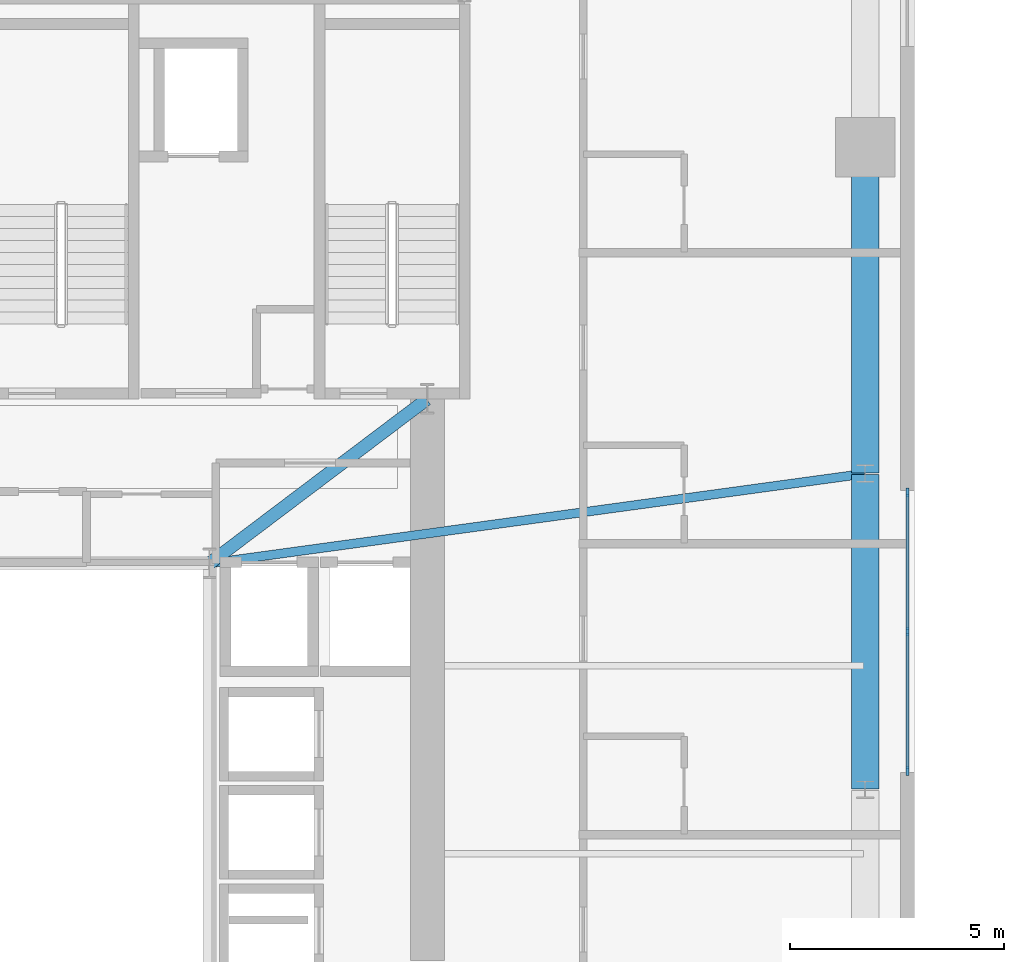
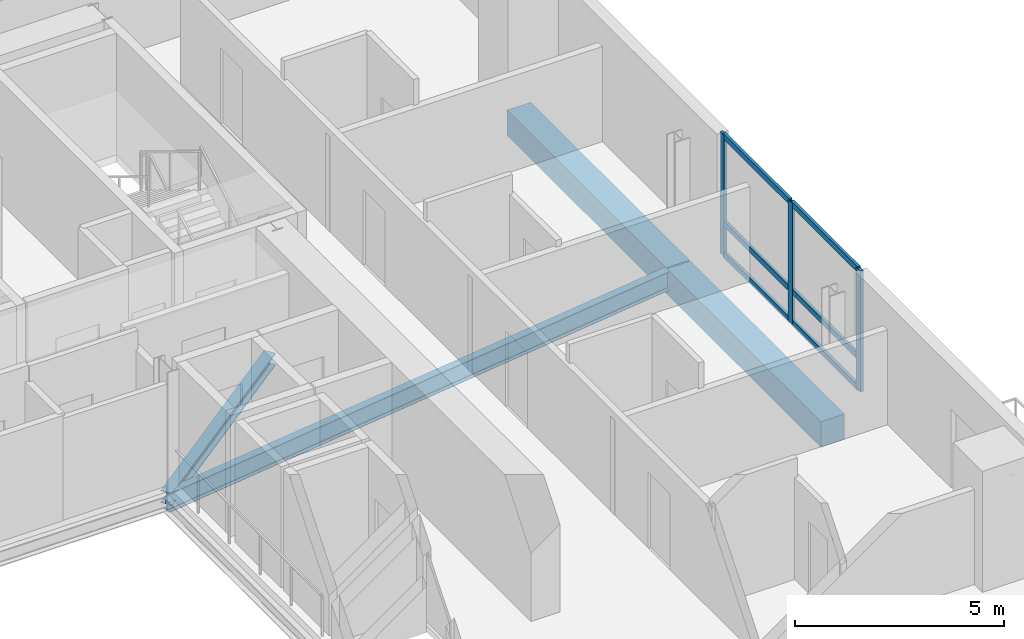
# One storey, part 5 of 15: 9 members, 4 beams, 1 element without a shape of its own.
"""IFC4 building model written with IfcOpenShell, lengths in metres."""

from ifc_helpers import new_model, si_unit, direction, frame, origin, origin_2d, place, context, subcontext, project, spatial, rectangle, i_section, extrude, source, transform, mapped, material, material_profile, profile_set, type_object, element, aggregate, save


model = new_model("IFC4")

# Units and contexts
model_context = context("Model", 3, precision=1e-05, world=origin(), true_north=direction((0.0, 1.0)))
body_context = subcontext(model_context, "Body", "Model", "MODEL_VIEW")
ifc_project = project(units=[si_unit("LENGTHUNIT", "METRE"), si_unit("AREAUNIT", "SQUARE_METRE"), si_unit("VOLUMEUNIT", "CUBIC_METRE"), si_unit("PLANEANGLEUNIT", "RADIAN"), si_unit("MASSUNIT", "GRAM", prefix="KILO")], contexts=[model_context])

# Site, building, storey
site_placement = place(None, origin())
site = spatial("IfcSite", under=ifc_project, at=site_placement, CompositionType="ELEMENT")
building_placement = place(site_placement, origin())
building = spatial("IfcBuilding", under=site, at=building_placement, Name="Vardaveli Station Tower", CompositionType="ELEMENT")
storey_placement = place(building_placement, frame((0.0, 0.0, 229.800048828125)))
storey = spatial("IfcBuildingStorey", under=building, at=storey_placement, Name="L59", CompositionType="ELEMENT", Elevation=229.800048828125)

# Beams
ifc_material_1 = material(Name="Structural steel S355J2", Category="steel")
ifc_material_profile_1 = material_profile(ifc_material_1, i_section(OverallWidth=0.300048828125, OverallDepth=0.360107421875, WebThickness=0.012451171875, FlangeThickness=0.0224609375, FilletRadius=0.027099609375, at=origin_2d()), Name="HEB 360")
ifc_profile_set_1 = profile_set([ifc_material_profile_1], Name="Structural steel S355J2")
beam_type_1 = type_object("IfcBeamType", Name="BM-HEB360", PredefinedType="BEAM", material=ifc_profile_set_1)
shared_shape_1 = source(origin(), body_context, "Body", "SweptSolid", [
    extrude(i_section(OverallWidth=0.300048828125, OverallDepth=0.360107421875, WebThickness=0.012451171875, FlangeThickness=0.0224609375, FilletRadius=0.027099609375, at=origin_2d()), origin(), (0.0, 0.0, 1.0), 6.35009765625),
])
beam_1_placement = place(storey_placement, frame((41.416015625, 26.81201171875, -0.400146484375), z_axis=(0.798118337722, 0.602500721154, 0.0), x_axis=(-0.602500721154, 0.798118337722, 0.0)))
element("IfcBeam", 1, at=beam_1_placement, inside=storey, type_object=beam_type_1, Name="CBM-L59-02", PredefinedType="BEAM", context=body_context, shape_type="MappedRepresentation", body=[
    mapped(shared_shape_1, transform((0.0, 0.0, 0.0), scale=1.0)),
])
ifc_material_2 = material(Name="Precast concrete C45/55", Category="concrete")
ifc_material_profile_2 = material_profile(ifc_material_2, rectangle(XDim=0.64990234375, YDim=0.75, at=origin_2d()), Name="LPB 650x750")
ifc_profile_set_2 = profile_set([ifc_material_profile_2], Name="Precast concrete C45/55")
beam_type_2 = type_object("IfcBeamType", Name="BM-LPB-750", PredefinedType="BEAM", material=ifc_profile_set_2)
shared_shape_2 = source(origin(), body_context, "Body", "SweptSolid", [
    extrude(rectangle(XDim=0.64990234375, YDim=0.75, at=origin_2d()), origin(), (0.0, 0.0, 1.0), 7.60009765625),
])
beam_2_placement = place(storey_placement, frame((56.75, 28.919921875, -0.594970703125), z_axis=(0.0, 1.0, 0.0), x_axis=(-1.0, 0.0, 0.0)))
element("IfcBeam", 2, at=beam_2_placement, inside=storey, type_object=beam_type_2, Name="RBM-L59-09", PredefinedType="BEAM", context=body_context, shape_type="MappedRepresentation", body=[
    mapped(shared_shape_2, transform((0.0, 0.0, 0.0), scale=1.0)),
])
shared_shape_3 = source(origin(), body_context, "Body", "SweptSolid", [
    extrude(rectangle(XDim=0.64990234375, YDim=0.75, at=origin_2d()), origin(), (0.0, 0.0, 1.0), 7.35986328125),
])
beam_3_placement = place(storey_placement, frame((56.75, 21.52001953125, -0.594970703125), z_axis=(0.0, 1.0, 0.0), x_axis=(-1.0, 0.0, 0.0)))
element("IfcBeam", 3, at=beam_3_placement, inside=storey, type_object=beam_type_2, Name="RBM-L59-08", PredefinedType="BEAM", context=body_context, shape_type="MappedRepresentation", body=[
    mapped(shared_shape_3, transform((0.0, 0.0, 0.0), scale=1.0)),
])
ifc_material_profile_3 = material_profile(ifc_material_1, i_section(OverallWidth=0.2099609375, OverallDepth=0.550048828125, WebThickness=0.010986328125, FlangeThickness=0.01708984375, FilletRadius=0.02392578125, at=origin_2d()), Name="IPE 550")
ifc_profile_set_3 = profile_set([ifc_material_profile_3], Name="Structural steel S355J2")
beam_type_3 = type_object("IfcBeamType", Name="BM-IPE550", PredefinedType="BEAM", material=ifc_profile_set_3)
shared_shape_4 = source(origin(), body_context, "Body", "SweptSolid", [
    extrude(i_section(OverallWidth=0.2099609375, OverallDepth=0.550048828125, WebThickness=0.010986328125, FlangeThickness=0.01708984375, FilletRadius=0.02392578125, at=origin_2d()), origin(), (0.0, 0.0, 1.0), 15.452880859375),
])
beam_4_placement = place(storey_placement, frame((56.730224609375, 28.897216796875, -0.4951171875), z_axis=(-0.99077191151, -0.135539733521, 0.0), x_axis=(0.135539733521, -0.99077191151, 0.0)))
element("IfcBeam", 4, at=beam_4_placement, inside=storey, type_object=beam_type_3, Name="GBM-L59-07", PredefinedType="BEAM", context=body_context, shape_type="MappedRepresentation", body=[
    mapped(shared_shape_4, transform((0.0, 0.0, 0.0), scale=1.0)),
])

# Curtain wall, members
ifc_material_3 = material(Name="Travertine stone and solar-control glass", Category="masonry")
curtain_wall_type = type_object("IfcCurtainWallType", Name="CW-SYS-5", PredefinedType="NOTDEFINED", material=ifc_material_3)
curtain_wall_placement = place(storey_placement, origin())
curtain_wall = element("IfcCurtainWall", 5, at=curtain_wall_placement, inside=storey, type_object=curtain_wall_type, Name="CW-L59-E", PredefinedType="NOTDEFINED")
ifc_material_4 = material(Name="Anodised aluminium alloy 6063-T6", Category="aluminium")
ifc_material_profile_4 = material_profile(ifc_material_4, rectangle(XDim=0.080078125, YDim=0.1650390625, at=origin_2d()), Name="CWT 80x165")
ifc_profile_set_4 = profile_set([ifc_material_profile_4], Name="Anodised aluminium alloy 6063-T6")
member_type_1 = type_object("IfcMemberType", Name="CW-SYS-5-TRAN", PredefinedType="NOTDEFINED", material=ifc_profile_set_4)
shared_shape_5 = source(origin(), body_context, "Body", "SweptSolid", [
    extrude(rectangle(XDim=0.080078125, YDim=0.1650390625, at=origin_2d()), origin(), (0.0, 0.0, 1.0), 3.179931640625),
])
member_1_placement = place(storey_placement, frame((57.739990234375, 21.97998046875, 0.0400390625), z_axis=(0.0, 1.0, 0.0), x_axis=(-1.0, 0.0, 0.0)))
member_1 = element("IfcMember", 6, at=member_1_placement, type_object=member_type_1, Name="CW-5 transom 1.1", ObjectType="TRANSOM", PredefinedType="USERDEFINED", context=body_context, shape_type="MappedRepresentation", body=[
    mapped(shared_shape_5, transform((0.0, 0.0, 0.0), scale=1.0)),
])
member_2_placement = place(storey_placement, frame((57.739990234375, 21.97998046875, 0.949951171875), z_axis=(0.0, 1.0, 0.0), x_axis=(-1.0, 0.0, 0.0)))
member_2 = element("IfcMember", 7, at=member_2_placement, type_object=member_type_1, Name="CW-5 transom 1.2", ObjectType="TRANSOM", PredefinedType="USERDEFINED", context=body_context, shape_type="MappedRepresentation", body=[
    mapped(shared_shape_5, transform((0.0, 0.0, 0.0), scale=1.0)),
])
member_3_placement = place(storey_placement, frame((57.739990234375, 21.97998046875, 3.489990234375), z_axis=(0.0, 1.0, 0.0), x_axis=(-1.0, 0.0, 0.0)))
member_3 = element("IfcMember", 8, at=member_3_placement, type_object=member_type_1, Name="CW-5 transom 1.3", ObjectType="TRANSOM", PredefinedType="USERDEFINED", context=body_context, shape_type="MappedRepresentation", body=[
    mapped(shared_shape_5, transform((0.0, 0.0, 0.0), scale=1.0)),
])
member_4_placement = place(storey_placement, frame((57.739990234375, 25.239990234375, 0.0400390625), z_axis=(0.0, 1.0, 0.0), x_axis=(-1.0, 0.0, 0.0)))
member_4 = element("IfcMember", 9, at=member_4_placement, type_object=member_type_1, Name="CW-5 transom 2.1", ObjectType="TRANSOM", PredefinedType="USERDEFINED", context=body_context, shape_type="MappedRepresentation", body=[
    mapped(shared_shape_5, transform((0.0, 0.0, 0.0), scale=1.0)),
])
member_5_placement = place(storey_placement, frame((57.739990234375, 25.239990234375, 0.949951171875), z_axis=(0.0, 1.0, 0.0), x_axis=(-1.0, 0.0, 0.0)))
member_5 = element("IfcMember", 10, at=member_5_placement, type_object=member_type_1, Name="CW-5 transom 2.2", ObjectType="TRANSOM", PredefinedType="USERDEFINED", context=body_context, shape_type="MappedRepresentation", body=[
    mapped(shared_shape_5, transform((0.0, 0.0, 0.0), scale=1.0)),
])
member_6_placement = place(storey_placement, frame((57.739990234375, 25.239990234375, 3.489990234375), z_axis=(0.0, 1.0, 0.0), x_axis=(-1.0, 0.0, 0.0)))
member_6 = element("IfcMember", 11, at=member_6_placement, type_object=member_type_1, Name="CW-5 transom 2.3", ObjectType="TRANSOM", PredefinedType="USERDEFINED", context=body_context, shape_type="MappedRepresentation", body=[
    mapped(shared_shape_5, transform((0.0, 0.0, 0.0), scale=1.0)),
])
ifc_material_profile_5 = material_profile(ifc_material_4, rectangle(XDim=0.080078125, YDim=0.205078125, at=origin_2d()), Name="CWM 80x205")
ifc_profile_set_5 = profile_set([ifc_material_profile_5], Name="Anodised aluminium alloy 6063-T6")
member_type_2 = type_object("IfcMemberType", Name="CW-SYS-5-MULL", PredefinedType="MULLION", material=ifc_profile_set_5)
shared_shape_6 = source(origin(), body_context, "Body", "SweptSolid", [
    extrude(rectangle(XDim=0.080078125, YDim=0.205078125, at=origin_2d()), origin(), (0.0, 0.0, 1.0), 3.530029296875),
])
member_7_placement = place(storey_placement, frame((57.739990234375, 21.93994140625, 0.0), z_axis=(0.0, 0.0, 1.0), x_axis=(-1.0, 0.0, 0.0)))
member_7 = element("IfcMember", 12, at=member_7_placement, type_object=member_type_2, Name="CW-5 mullion 1", PredefinedType="MULLION", context=body_context, shape_type="MappedRepresentation", body=[
    mapped(shared_shape_6, transform((0.0, 0.0, 0.0), scale=1.0)),
])
member_8_placement = place(storey_placement, frame((57.739990234375, 25.199951171875, 0.0), z_axis=(0.0, 0.0, 1.0), x_axis=(-1.0, 0.0, 0.0)))
member_8 = element("IfcMember", 13, at=member_8_placement, type_object=member_type_2, Name="CW-5 mullion 2", PredefinedType="MULLION", context=body_context, shape_type="MappedRepresentation", body=[
    mapped(shared_shape_6, transform((0.0, 0.0, 0.0), scale=1.0)),
])
member_9_placement = place(storey_placement, frame((57.739990234375, 28.4599609375, 0.0), z_axis=(0.0, 0.0, 1.0), x_axis=(-1.0, 0.0, 0.0)))
member_9 = element("IfcMember", 14, at=member_9_placement, type_object=member_type_2, Name="CW-5 mullion 3", PredefinedType="MULLION", context=body_context, shape_type="MappedRepresentation", body=[
    mapped(shared_shape_6, transform((0.0, 0.0, 0.0), scale=1.0)),
])
aggregate(curtain_wall, [member_7, member_8, member_9, member_1, member_2, member_3, member_4, member_5, member_6])

save(model, "model.ifc")
